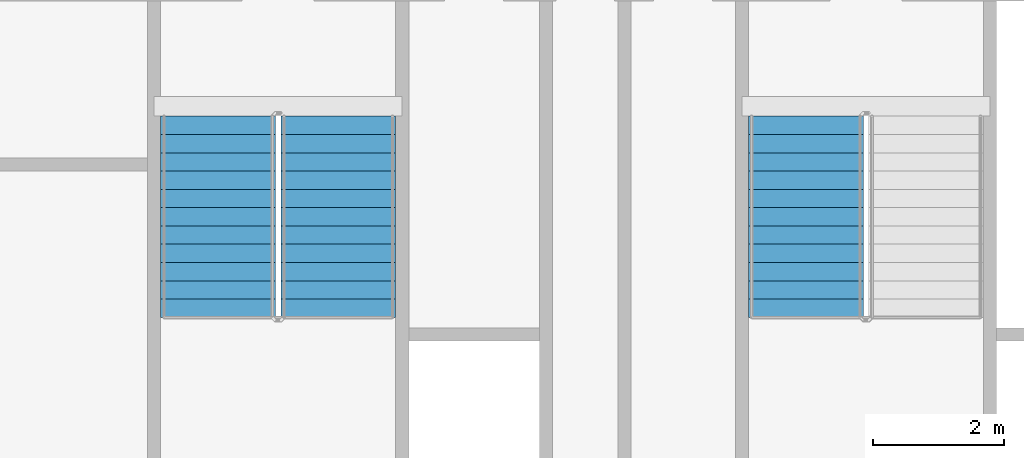
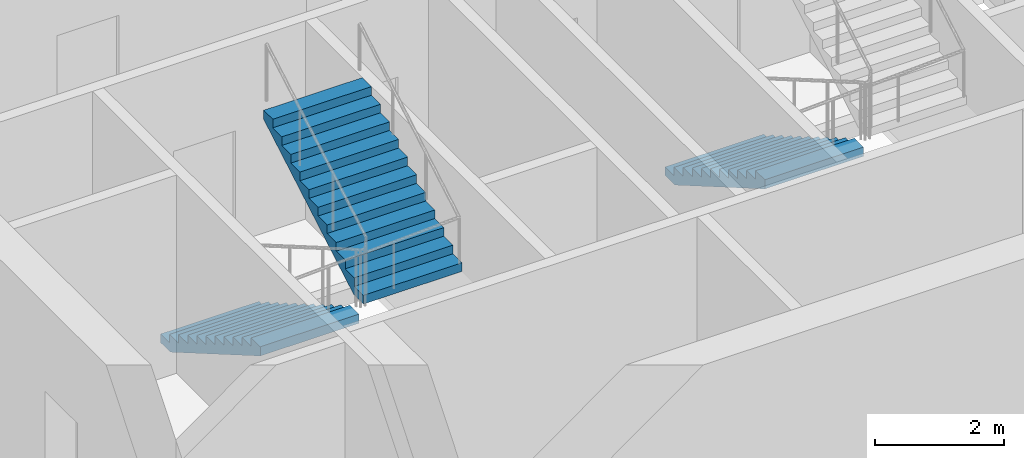
# One storey, part 8 of 15: 3 stair flights, 2 elements without a shape of their own.
"""IFC4 building model written with IfcOpenShell, lengths in metres."""

from ifc_helpers import new_model, si_unit, direction, frame, origin, place, context, subcontext, project, spatial, faceted_brep, material, type_object, element, aggregate, save


model = new_model("IFC4")

# Units and contexts
model_context = context("Model", 3, precision=1e-05, world=origin(), true_north=direction((0.0, 1.0)))
body_context = subcontext(model_context, "Body", "Model", "MODEL_VIEW")
ifc_project = project(units=[si_unit("LENGTHUNIT", "METRE"), si_unit("AREAUNIT", "SQUARE_METRE"), si_unit("VOLUMEUNIT", "CUBIC_METRE"), si_unit("PLANEANGLEUNIT", "RADIAN"), si_unit("MASSUNIT", "GRAM", prefix="KILO")], contexts=[model_context])

# Site, building, storey
site_placement = place(None, origin())
site = spatial("IfcSite", under=ifc_project, at=site_placement, CompositionType="ELEMENT")
building_placement = place(site_placement, origin())
building = spatial("IfcBuilding", under=site, at=building_placement, Name="Tarsis Ring Headquarters", CompositionType="ELEMENT")
storey_placement = place(building_placement, frame((0.0, 0.0, 227.699951171875)))
storey = spatial("IfcBuildingStorey", under=building, at=storey_placement, Name="L53", CompositionType="ELEMENT", Elevation=227.699951171875)

# Stair, stair flights
ifc_material_1 = material(Name="Core stair 1760")
stair_type = type_object("IfcStairType", Name="Core stair 1760", PredefinedType="HALF_TURN_STAIR", material=ifc_material_1)
stair_1_placement = place(storey_placement, origin())
stair_1 = element("IfcStair", 1, at=stair_1_placement, inside=storey, type_object=stair_type, Name="L53 Exit stair C", PredefinedType="HALF_TURN_STAIR")
ifc_material_2 = material(Name="Concrete C40/50", Category="concrete")
stair_flight_type = type_object("IfcStairFlightType", Name="Core stair flight 1760", PredefinedType="STRAIGHT", material=ifc_material_2)
stair_flight_1_placement = place(storey_placement, frame((-5.419921875, -3.659912109375, 0.0), z_axis=(0.0, 0.0, 1.0), x_axis=(0.0, -1.0, 0.0)))
stair_flight_1 = element("IfcStairFlight", 2, at=stair_flight_1_placement, type_object=stair_flight_type, Name="Stair ST3 flight 1", NumberOfRisers=12, NumberOfTreads=11, PredefinedType="STRAIGHT", RiserHeight=0.1625, TreadLength=0.28, context=body_context, shape_type="Brep", body=[
    faceted_brep([(0.0, 0.8798828125, 0.0), (0.0, 0.8798828125, 0.16259765625), (0.280029296875, 0.8798828125, 0.16259765625), (0.280029296875, 0.8798828125, 0.324951171875), (0.56005859375, 0.8798828125, 0.324951171875), (0.56005859375, 0.8798828125, 0.487548828125), (0.840087890625, 0.8798828125, 0.487548828125), (0.840087890625, 0.8798828125, 0.64990234375), (1.1201171875, 0.8798828125, 0.64990234375), (1.1201171875, 0.8798828125, 0.8125), (1.39990234375, 0.8798828125, 0.8125), (1.39990234375, 0.8798828125, 0.97509765625), (1.679931640625, 0.8798828125, 0.97509765625), (1.679931640625, 0.8798828125, 1.137451171875), (1.9599609375, 0.8798828125, 1.137451171875), (1.9599609375, 0.8798828125, 1.300048828125), (2.239990234375, 0.8798828125, 1.300048828125), (2.239990234375, 0.8798828125, 1.46240234375), (2.52001953125, 0.8798828125, 1.46240234375), (2.52001953125, 0.8798828125, 1.625), (2.800048828125, 0.8798828125, 1.625), (2.800048828125, 0.8798828125, 1.78759765625), (3.080078125, 0.8798828125, 1.78759765625), (3.080078125, 0.8798828125, 1.6142578125), (0.298583984375, 0.8798828125, 0.0), (0.298583984375, -0.8798828125, 0.0), (3.080078125, -0.8798828125, 1.6142578125), (3.080078125, -0.8798828125, 1.78759765625), (2.800048828125, -0.8798828125, 1.78759765625), (2.800048828125, -0.8798828125, 1.625), (2.52001953125, -0.8798828125, 1.625), (2.52001953125, -0.8798828125, 1.46240234375), (2.239990234375, -0.8798828125, 1.46240234375), (2.239990234375, -0.8798828125, 1.300048828125), (1.9599609375, -0.8798828125, 1.300048828125), (1.9599609375, -0.8798828125, 1.137451171875), (1.679931640625, -0.8798828125, 1.137451171875), (1.679931640625, -0.8798828125, 0.97509765625), (1.39990234375, -0.8798828125, 0.97509765625), (1.39990234375, -0.8798828125, 0.8125), (1.1201171875, -0.8798828125, 0.8125), (1.1201171875, -0.8798828125, 0.64990234375), (0.840087890625, -0.8798828125, 0.64990234375), (0.840087890625, -0.8798828125, 0.487548828125), (0.56005859375, -0.8798828125, 0.487548828125), (0.56005859375, -0.8798828125, 0.324951171875), (0.280029296875, -0.8798828125, 0.324951171875), (0.280029296875, -0.8798828125, 0.16259765625), (0.0, -0.8798828125, 0.16259765625), (0.0, -0.8798828125, 0.0), (0.0, -0.43994140625, 0.16259765625), (0.0, -0.43994140625, 0.0), (0.0, 0.0, 0.16259765625), (0.0, 0.0, 0.0), (0.0, 0.43994140625, 0.16259765625), (0.0, 0.43994140625, 0.0), (0.280029296875, -0.43994140625, 0.16259765625), (0.280029296875, 0.0, 0.16259765625), (0.280029296875, 0.43994140625, 0.16259765625), (0.280029296875, -0.43994140625, 0.324951171875), (0.280029296875, 0.0, 0.324951171875), (0.280029296875, 0.43994140625, 0.324951171875), (0.56005859375, -0.43994140625, 0.324951171875), (0.56005859375, 0.0, 0.324951171875), (0.56005859375, 0.43994140625, 0.324951171875), (0.56005859375, -0.43994140625, 0.487548828125), (0.56005859375, 0.0, 0.487548828125), (0.56005859375, 0.43994140625, 0.487548828125), (0.840087890625, -0.43994140625, 0.487548828125), (0.840087890625, 0.0, 0.487548828125), (0.840087890625, 0.43994140625, 0.487548828125), (0.840087890625, -0.43994140625, 0.64990234375), (0.840087890625, 0.0, 0.64990234375), (0.840087890625, 0.43994140625, 0.64990234375), (1.1201171875, -0.43994140625, 0.64990234375), (1.1201171875, 0.0, 0.64990234375), (1.1201171875, 0.43994140625, 0.64990234375), (1.1201171875, -0.43994140625, 0.8125), (1.1201171875, 0.0, 0.8125), (1.1201171875, 0.43994140625, 0.8125), (1.39990234375, -0.43994140625, 0.8125), (1.39990234375, 0.0, 0.8125), (1.39990234375, 0.43994140625, 0.8125), (1.39990234375, -0.43994140625, 0.97509765625), (1.39990234375, 0.0, 0.97509765625), (1.39990234375, 0.43994140625, 0.97509765625), (1.679931640625, -0.43994140625, 0.97509765625), (1.679931640625, 0.0, 0.97509765625), (1.679931640625, 0.43994140625, 0.97509765625), (1.679931640625, -0.43994140625, 1.137451171875), (1.679931640625, 0.0, 1.137451171875), (1.679931640625, 0.43994140625, 1.137451171875), (1.9599609375, -0.43994140625, 1.137451171875), (1.9599609375, 0.0, 1.137451171875), (1.9599609375, 0.43994140625, 1.137451171875), (1.9599609375, -0.43994140625, 1.300048828125), (1.9599609375, 0.0, 1.300048828125), (1.9599609375, 0.43994140625, 1.300048828125), (2.239990234375, -0.43994140625, 1.300048828125), (2.239990234375, 0.0, 1.300048828125), (2.239990234375, 0.43994140625, 1.300048828125), (2.239990234375, -0.43994140625, 1.46240234375), (2.239990234375, 0.0, 1.46240234375), (2.239990234375, 0.43994140625, 1.46240234375), (2.52001953125, -0.43994140625, 1.46240234375), (2.52001953125, 0.0, 1.46240234375), (2.52001953125, 0.43994140625, 1.46240234375), (2.52001953125, -0.43994140625, 1.625), (2.52001953125, 0.0, 1.625), (2.52001953125, 0.43994140625, 1.625), (2.800048828125, -0.43994140625, 1.625), (2.800048828125, 0.0, 1.625), (2.800048828125, 0.43994140625, 1.625), (2.800048828125, -0.43994140625, 1.78759765625), (2.800048828125, 0.0, 1.78759765625), (2.800048828125, 0.43994140625, 1.78759765625), (3.080078125, -0.43994140625, 1.78759765625), (3.080078125, 0.0, 1.78759765625), (3.080078125, 0.43994140625, 1.78759765625), (3.080078125, -0.43994140625, 1.6142578125), (3.080078125, 0.0, 1.6142578125), (3.080078125, 0.43994140625, 1.6142578125), (0.298583984375, -0.43994140625, 0.0), (0.298583984375, 0.0, 0.0), (0.298583984375, 0.43994140625, 0.0)], [[[0, 1, 2, 3, 4, 5, 6, 7, 8, 9, 10, 11, 12, 13, 14, 15, 16, 17, 18, 19, 20, 21, 22, 23, 24]], [[25, 26, 27, 28, 29, 30, 31, 32, 33, 34, 35, 36, 37, 38, 39, 40, 41, 42, 43, 44, 45, 46, 47, 48, 49]], [[49, 48, 50, 51]], [[51, 50, 52, 53]], [[53, 52, 54, 55]], [[55, 54, 1, 0]], [[48, 47, 56, 50]], [[50, 56, 57, 52]], [[52, 57, 58, 54]], [[54, 58, 2, 1]], [[47, 46, 59, 56]], [[56, 59, 60, 57]], [[57, 60, 61, 58]], [[58, 61, 3, 2]], [[46, 45, 62, 59]], [[59, 62, 63, 60]], [[60, 63, 64, 61]], [[61, 64, 4, 3]], [[45, 44, 65, 62]], [[62, 65, 66, 63]], [[63, 66, 67, 64]], [[64, 67, 5, 4]], [[44, 43, 68, 65]], [[65, 68, 69, 66]], [[66, 69, 70, 67]], [[67, 70, 6, 5]], [[43, 42, 71, 68]], [[68, 71, 72, 69]], [[69, 72, 73, 70]], [[70, 73, 7, 6]], [[42, 41, 74, 71]], [[71, 74, 75, 72]], [[72, 75, 76, 73]], [[73, 76, 8, 7]], [[41, 40, 77, 74]], [[74, 77, 78, 75]], [[75, 78, 79, 76]], [[76, 79, 9, 8]], [[40, 39, 80, 77]], [[77, 80, 81, 78]], [[78, 81, 82, 79]], [[79, 82, 10, 9]], [[39, 38, 83, 80]], [[80, 83, 84, 81]], [[81, 84, 85, 82]], [[82, 85, 11, 10]], [[38, 37, 86, 83]], [[83, 86, 87, 84]], [[84, 87, 88, 85]], [[85, 88, 12, 11]], [[37, 36, 89, 86]], [[86, 89, 90, 87]], [[87, 90, 91, 88]], [[88, 91, 13, 12]], [[36, 35, 92, 89]], [[89, 92, 93, 90]], [[90, 93, 94, 91]], [[91, 94, 14, 13]], [[35, 34, 95, 92]], [[92, 95, 96, 93]], [[93, 96, 97, 94]], [[94, 97, 15, 14]], [[34, 33, 98, 95]], [[95, 98, 99, 96]], [[96, 99, 100, 97]], [[97, 100, 16, 15]], [[33, 32, 101, 98]], [[98, 101, 102, 99]], [[99, 102, 103, 100]], [[100, 103, 17, 16]], [[32, 31, 104, 101]], [[101, 104, 105, 102]], [[102, 105, 106, 103]], [[103, 106, 18, 17]], [[31, 30, 107, 104]], [[104, 107, 108, 105]], [[105, 108, 109, 106]], [[106, 109, 19, 18]], [[30, 29, 110, 107]], [[107, 110, 111, 108]], [[108, 111, 112, 109]], [[109, 112, 20, 19]], [[29, 28, 113, 110]], [[110, 113, 114, 111]], [[111, 114, 115, 112]], [[112, 115, 21, 20]], [[28, 27, 116, 113]], [[113, 116, 117, 114]], [[114, 117, 118, 115]], [[115, 118, 22, 21]], [[27, 26, 119, 116]], [[116, 119, 120, 117]], [[117, 120, 121, 118]], [[118, 121, 23, 22]], [[26, 25, 122, 119]], [[119, 122, 123, 120]], [[120, 123, 124, 121]], [[121, 124, 24, 23]], [[25, 49, 51, 122]], [[122, 51, 53, 123]], [[123, 53, 55, 124]], [[124, 55, 0, 24]]]),
])
stair_flight_2_placement = place(storey_placement, frame((-3.580078125, -6.739990234375, 1.949951171875), z_axis=(0.0, 0.0, 1.0), x_axis=(0.0, 1.0, 0.0)))
stair_flight_2 = element("IfcStairFlight", 3, at=stair_flight_2_placement, type_object=stair_flight_type, Name="Stair ST3 flight 2", NumberOfRisers=12, NumberOfTreads=11, PredefinedType="STRAIGHT", RiserHeight=0.1625, TreadLength=0.28, context=body_context, shape_type="Brep", body=[
    faceted_brep([(0.0, 0.8798828125, 0.0), (0.0, 0.8798828125, 0.16259765625), (0.280029296875, 0.8798828125, 0.16259765625), (0.280029296875, 0.8798828125, 0.324951171875), (0.56005859375, 0.8798828125, 0.324951171875), (0.56005859375, 0.8798828125, 0.487548828125), (0.840087890625, 0.8798828125, 0.487548828125), (0.840087890625, 0.8798828125, 0.64990234375), (1.1201171875, 0.8798828125, 0.64990234375), (1.1201171875, 0.8798828125, 0.8125), (1.39990234375, 0.8798828125, 0.8125), (1.39990234375, 0.8798828125, 0.97509765625), (1.679931640625, 0.8798828125, 0.97509765625), (1.679931640625, 0.8798828125, 1.137451171875), (1.9599609375, 0.8798828125, 1.137451171875), (1.9599609375, 0.8798828125, 1.300048828125), (2.239990234375, 0.8798828125, 1.300048828125), (2.239990234375, 0.8798828125, 1.46240234375), (2.52001953125, 0.8798828125, 1.46240234375), (2.52001953125, 0.8798828125, 1.625), (2.800048828125, 0.8798828125, 1.625), (2.800048828125, 0.8798828125, 1.78759765625), (3.080078125, 0.8798828125, 1.78759765625), (3.080078125, 0.8798828125, 1.6142578125), (0.298583984375, 0.8798828125, 0.0), (0.298583984375, -0.8798828125, 0.0), (3.080078125, -0.8798828125, 1.6142578125), (3.080078125, -0.8798828125, 1.78759765625), (2.800048828125, -0.8798828125, 1.78759765625), (2.800048828125, -0.8798828125, 1.625), (2.52001953125, -0.8798828125, 1.625), (2.52001953125, -0.8798828125, 1.46240234375), (2.239990234375, -0.8798828125, 1.46240234375), (2.239990234375, -0.8798828125, 1.300048828125), (1.9599609375, -0.8798828125, 1.300048828125), (1.9599609375, -0.8798828125, 1.137451171875), (1.679931640625, -0.8798828125, 1.137451171875), (1.679931640625, -0.8798828125, 0.97509765625), (1.39990234375, -0.8798828125, 0.97509765625), (1.39990234375, -0.8798828125, 0.8125), (1.1201171875, -0.8798828125, 0.8125), (1.1201171875, -0.8798828125, 0.64990234375), (0.840087890625, -0.8798828125, 0.64990234375), (0.840087890625, -0.8798828125, 0.487548828125), (0.56005859375, -0.8798828125, 0.487548828125), (0.56005859375, -0.8798828125, 0.324951171875), (0.280029296875, -0.8798828125, 0.324951171875), (0.280029296875, -0.8798828125, 0.16259765625), (0.0, -0.8798828125, 0.16259765625), (0.0, -0.8798828125, 0.0), (0.0, -0.43994140625, 0.16259765625), (0.0, -0.43994140625, 0.0), (0.0, 0.0, 0.16259765625), (0.0, 0.0, 0.0), (0.0, 0.43994140625, 0.16259765625), (0.0, 0.43994140625, 0.0), (0.280029296875, -0.43994140625, 0.16259765625), (0.280029296875, 0.0, 0.16259765625), (0.280029296875, 0.43994140625, 0.16259765625), (0.280029296875, -0.43994140625, 0.324951171875), (0.280029296875, 0.0, 0.324951171875), (0.280029296875, 0.43994140625, 0.324951171875), (0.56005859375, -0.43994140625, 0.324951171875), (0.56005859375, 0.0, 0.324951171875), (0.56005859375, 0.43994140625, 0.324951171875), (0.56005859375, -0.43994140625, 0.487548828125), (0.56005859375, 0.0, 0.487548828125), (0.56005859375, 0.43994140625, 0.487548828125), (0.840087890625, -0.43994140625, 0.487548828125), (0.840087890625, 0.0, 0.487548828125), (0.840087890625, 0.43994140625, 0.487548828125), (0.840087890625, -0.43994140625, 0.64990234375), (0.840087890625, 0.0, 0.64990234375), (0.840087890625, 0.43994140625, 0.64990234375), (1.1201171875, -0.43994140625, 0.64990234375), (1.1201171875, 0.0, 0.64990234375), (1.1201171875, 0.43994140625, 0.64990234375), (1.1201171875, -0.43994140625, 0.8125), (1.1201171875, 0.0, 0.8125), (1.1201171875, 0.43994140625, 0.8125), (1.39990234375, -0.43994140625, 0.8125), (1.39990234375, 0.0, 0.8125), (1.39990234375, 0.43994140625, 0.8125), (1.39990234375, -0.43994140625, 0.97509765625), (1.39990234375, 0.0, 0.97509765625), (1.39990234375, 0.43994140625, 0.97509765625), (1.679931640625, -0.43994140625, 0.97509765625), (1.679931640625, 0.0, 0.97509765625), (1.679931640625, 0.43994140625, 0.97509765625), (1.679931640625, -0.43994140625, 1.137451171875), (1.679931640625, 0.0, 1.137451171875), (1.679931640625, 0.43994140625, 1.137451171875), (1.9599609375, -0.43994140625, 1.137451171875), (1.9599609375, 0.0, 1.137451171875), (1.9599609375, 0.43994140625, 1.137451171875), (1.9599609375, -0.43994140625, 1.300048828125), (1.9599609375, 0.0, 1.300048828125), (1.9599609375, 0.43994140625, 1.300048828125), (2.239990234375, -0.43994140625, 1.300048828125), (2.239990234375, 0.0, 1.300048828125), (2.239990234375, 0.43994140625, 1.300048828125), (2.239990234375, -0.43994140625, 1.46240234375), (2.239990234375, 0.0, 1.46240234375), (2.239990234375, 0.43994140625, 1.46240234375), (2.52001953125, -0.43994140625, 1.46240234375), (2.52001953125, 0.0, 1.46240234375), (2.52001953125, 0.43994140625, 1.46240234375), (2.52001953125, -0.43994140625, 1.625), (2.52001953125, 0.0, 1.625), (2.52001953125, 0.43994140625, 1.625), (2.800048828125, -0.43994140625, 1.625), (2.800048828125, 0.0, 1.625), (2.800048828125, 0.43994140625, 1.625), (2.800048828125, -0.43994140625, 1.78759765625), (2.800048828125, 0.0, 1.78759765625), (2.800048828125, 0.43994140625, 1.78759765625), (3.080078125, -0.43994140625, 1.78759765625), (3.080078125, 0.0, 1.78759765625), (3.080078125, 0.43994140625, 1.78759765625), (3.080078125, -0.43994140625, 1.6142578125), (3.080078125, 0.0, 1.6142578125), (3.080078125, 0.43994140625, 1.6142578125), (0.298583984375, -0.43994140625, 0.0), (0.298583984375, 0.0, 0.0), (0.298583984375, 0.43994140625, 0.0)], [[[0, 1, 2, 3, 4, 5, 6, 7, 8, 9, 10, 11, 12, 13, 14, 15, 16, 17, 18, 19, 20, 21, 22, 23, 24]], [[25, 26, 27, 28, 29, 30, 31, 32, 33, 34, 35, 36, 37, 38, 39, 40, 41, 42, 43, 44, 45, 46, 47, 48, 49]], [[49, 48, 50, 51]], [[51, 50, 52, 53]], [[53, 52, 54, 55]], [[55, 54, 1, 0]], [[48, 47, 56, 50]], [[50, 56, 57, 52]], [[52, 57, 58, 54]], [[54, 58, 2, 1]], [[47, 46, 59, 56]], [[56, 59, 60, 57]], [[57, 60, 61, 58]], [[58, 61, 3, 2]], [[46, 45, 62, 59]], [[59, 62, 63, 60]], [[60, 63, 64, 61]], [[61, 64, 4, 3]], [[45, 44, 65, 62]], [[62, 65, 66, 63]], [[63, 66, 67, 64]], [[64, 67, 5, 4]], [[44, 43, 68, 65]], [[65, 68, 69, 66]], [[66, 69, 70, 67]], [[67, 70, 6, 5]], [[43, 42, 71, 68]], [[68, 71, 72, 69]], [[69, 72, 73, 70]], [[70, 73, 7, 6]], [[42, 41, 74, 71]], [[71, 74, 75, 72]], [[72, 75, 76, 73]], [[73, 76, 8, 7]], [[41, 40, 77, 74]], [[74, 77, 78, 75]], [[75, 78, 79, 76]], [[76, 79, 9, 8]], [[40, 39, 80, 77]], [[77, 80, 81, 78]], [[78, 81, 82, 79]], [[79, 82, 10, 9]], [[39, 38, 83, 80]], [[80, 83, 84, 81]], [[81, 84, 85, 82]], [[82, 85, 11, 10]], [[38, 37, 86, 83]], [[83, 86, 87, 84]], [[84, 87, 88, 85]], [[85, 88, 12, 11]], [[37, 36, 89, 86]], [[86, 89, 90, 87]], [[87, 90, 91, 88]], [[88, 91, 13, 12]], [[36, 35, 92, 89]], [[89, 92, 93, 90]], [[90, 93, 94, 91]], [[91, 94, 14, 13]], [[35, 34, 95, 92]], [[92, 95, 96, 93]], [[93, 96, 97, 94]], [[94, 97, 15, 14]], [[34, 33, 98, 95]], [[95, 98, 99, 96]], [[96, 99, 100, 97]], [[97, 100, 16, 15]], [[33, 32, 101, 98]], [[98, 101, 102, 99]], [[99, 102, 103, 100]], [[100, 103, 17, 16]], [[32, 31, 104, 101]], [[101, 104, 105, 102]], [[102, 105, 106, 103]], [[103, 106, 18, 17]], [[31, 30, 107, 104]], [[104, 107, 108, 105]], [[105, 108, 109, 106]], [[106, 109, 19, 18]], [[30, 29, 110, 107]], [[107, 110, 111, 108]], [[108, 111, 112, 109]], [[109, 112, 20, 19]], [[29, 28, 113, 110]], [[110, 113, 114, 111]], [[111, 114, 115, 112]], [[112, 115, 21, 20]], [[28, 27, 116, 113]], [[113, 116, 117, 114]], [[114, 117, 118, 115]], [[115, 118, 22, 21]], [[27, 26, 119, 116]], [[116, 119, 120, 117]], [[117, 120, 121, 118]], [[118, 121, 23, 22]], [[26, 25, 122, 119]], [[119, 122, 123, 120]], [[120, 123, 124, 121]], [[121, 124, 24, 23]], [[25, 49, 51, 122]], [[122, 51, 53, 123]], [[123, 53, 55, 124]], [[124, 55, 0, 24]]]),
])
aggregate(stair_1, [stair_flight_1, stair_flight_2])

# Stair, stair flight
stair_2_placement = place(storey_placement, origin())
stair_2 = element("IfcStair", 4, at=stair_2_placement, inside=storey, type_object=stair_type, Name="L53 Exit stair D", PredefinedType="HALF_TURN_STAIR")
stair_flight_3_placement = place(storey_placement, frame((3.580078125, -3.659912109375, 0.0), z_axis=(0.0, 0.0, 1.0), x_axis=(0.0, -1.0, 0.0)))
stair_flight_3 = element("IfcStairFlight", 5, at=stair_flight_3_placement, type_object=stair_flight_type, Name="Stair ST4 flight 1", NumberOfRisers=12, NumberOfTreads=11, PredefinedType="STRAIGHT", RiserHeight=0.1625, TreadLength=0.28, context=body_context, shape_type="Brep", body=[
    faceted_brep([(0.0, 0.8798828125, 0.0), (0.0, 0.8798828125, 0.16259765625), (0.280029296875, 0.8798828125, 0.16259765625), (0.280029296875, 0.8798828125, 0.324951171875), (0.56005859375, 0.8798828125, 0.324951171875), (0.56005859375, 0.8798828125, 0.487548828125), (0.840087890625, 0.8798828125, 0.487548828125), (0.840087890625, 0.8798828125, 0.64990234375), (1.1201171875, 0.8798828125, 0.64990234375), (1.1201171875, 0.8798828125, 0.8125), (1.39990234375, 0.8798828125, 0.8125), (1.39990234375, 0.8798828125, 0.97509765625), (1.679931640625, 0.8798828125, 0.97509765625), (1.679931640625, 0.8798828125, 1.137451171875), (1.9599609375, 0.8798828125, 1.137451171875), (1.9599609375, 0.8798828125, 1.300048828125), (2.239990234375, 0.8798828125, 1.300048828125), (2.239990234375, 0.8798828125, 1.46240234375), (2.52001953125, 0.8798828125, 1.46240234375), (2.52001953125, 0.8798828125, 1.625), (2.800048828125, 0.8798828125, 1.625), (2.800048828125, 0.8798828125, 1.78759765625), (3.080078125, 0.8798828125, 1.78759765625), (3.080078125, 0.8798828125, 1.6142578125), (0.298583984375, 0.8798828125, 0.0), (0.298583984375, -0.8798828125, 0.0), (3.080078125, -0.8798828125, 1.6142578125), (3.080078125, -0.8798828125, 1.78759765625), (2.800048828125, -0.8798828125, 1.78759765625), (2.800048828125, -0.8798828125, 1.625), (2.52001953125, -0.8798828125, 1.625), (2.52001953125, -0.8798828125, 1.46240234375), (2.239990234375, -0.8798828125, 1.46240234375), (2.239990234375, -0.8798828125, 1.300048828125), (1.9599609375, -0.8798828125, 1.300048828125), (1.9599609375, -0.8798828125, 1.137451171875), (1.679931640625, -0.8798828125, 1.137451171875), (1.679931640625, -0.8798828125, 0.97509765625), (1.39990234375, -0.8798828125, 0.97509765625), (1.39990234375, -0.8798828125, 0.8125), (1.1201171875, -0.8798828125, 0.8125), (1.1201171875, -0.8798828125, 0.64990234375), (0.840087890625, -0.8798828125, 0.64990234375), (0.840087890625, -0.8798828125, 0.487548828125), (0.56005859375, -0.8798828125, 0.487548828125), (0.56005859375, -0.8798828125, 0.324951171875), (0.280029296875, -0.8798828125, 0.324951171875), (0.280029296875, -0.8798828125, 0.16259765625), (0.0, -0.8798828125, 0.16259765625), (0.0, -0.8798828125, 0.0), (0.0, -0.43994140625, 0.16259765625), (0.0, -0.43994140625, 0.0), (0.0, 0.0, 0.16259765625), (0.0, 0.0, 0.0), (0.0, 0.43994140625, 0.16259765625), (0.0, 0.43994140625, 0.0), (0.280029296875, -0.43994140625, 0.16259765625), (0.280029296875, 0.0, 0.16259765625), (0.280029296875, 0.43994140625, 0.16259765625), (0.280029296875, -0.43994140625, 0.324951171875), (0.280029296875, 0.0, 0.324951171875), (0.280029296875, 0.43994140625, 0.324951171875), (0.56005859375, -0.43994140625, 0.324951171875), (0.56005859375, 0.0, 0.324951171875), (0.56005859375, 0.43994140625, 0.324951171875), (0.56005859375, -0.43994140625, 0.487548828125), (0.56005859375, 0.0, 0.487548828125), (0.56005859375, 0.43994140625, 0.487548828125), (0.840087890625, -0.43994140625, 0.487548828125), (0.840087890625, 0.0, 0.487548828125), (0.840087890625, 0.43994140625, 0.487548828125), (0.840087890625, -0.43994140625, 0.64990234375), (0.840087890625, 0.0, 0.64990234375), (0.840087890625, 0.43994140625, 0.64990234375), (1.1201171875, -0.43994140625, 0.64990234375), (1.1201171875, 0.0, 0.64990234375), (1.1201171875, 0.43994140625, 0.64990234375), (1.1201171875, -0.43994140625, 0.8125), (1.1201171875, 0.0, 0.8125), (1.1201171875, 0.43994140625, 0.8125), (1.39990234375, -0.43994140625, 0.8125), (1.39990234375, 0.0, 0.8125), (1.39990234375, 0.43994140625, 0.8125), (1.39990234375, -0.43994140625, 0.97509765625), (1.39990234375, 0.0, 0.97509765625), (1.39990234375, 0.43994140625, 0.97509765625), (1.679931640625, -0.43994140625, 0.97509765625), (1.679931640625, 0.0, 0.97509765625), (1.679931640625, 0.43994140625, 0.97509765625), (1.679931640625, -0.43994140625, 1.137451171875), (1.679931640625, 0.0, 1.137451171875), (1.679931640625, 0.43994140625, 1.137451171875), (1.9599609375, -0.43994140625, 1.137451171875), (1.9599609375, 0.0, 1.137451171875), (1.9599609375, 0.43994140625, 1.137451171875), (1.9599609375, -0.43994140625, 1.300048828125), (1.9599609375, 0.0, 1.300048828125), (1.9599609375, 0.43994140625, 1.300048828125), (2.239990234375, -0.43994140625, 1.300048828125), (2.239990234375, 0.0, 1.300048828125), (2.239990234375, 0.43994140625, 1.300048828125), (2.239990234375, -0.43994140625, 1.46240234375), (2.239990234375, 0.0, 1.46240234375), (2.239990234375, 0.43994140625, 1.46240234375), (2.52001953125, -0.43994140625, 1.46240234375), (2.52001953125, 0.0, 1.46240234375), (2.52001953125, 0.43994140625, 1.46240234375), (2.52001953125, -0.43994140625, 1.625), (2.52001953125, 0.0, 1.625), (2.52001953125, 0.43994140625, 1.625), (2.800048828125, -0.43994140625, 1.625), (2.800048828125, 0.0, 1.625), (2.800048828125, 0.43994140625, 1.625), (2.800048828125, -0.43994140625, 1.78759765625), (2.800048828125, 0.0, 1.78759765625), (2.800048828125, 0.43994140625, 1.78759765625), (3.080078125, -0.43994140625, 1.78759765625), (3.080078125, 0.0, 1.78759765625), (3.080078125, 0.43994140625, 1.78759765625), (3.080078125, -0.43994140625, 1.6142578125), (3.080078125, 0.0, 1.6142578125), (3.080078125, 0.43994140625, 1.6142578125), (0.298583984375, -0.43994140625, 0.0), (0.298583984375, 0.0, 0.0), (0.298583984375, 0.43994140625, 0.0)], [[[0, 1, 2, 3, 4, 5, 6, 7, 8, 9, 10, 11, 12, 13, 14, 15, 16, 17, 18, 19, 20, 21, 22, 23, 24]], [[25, 26, 27, 28, 29, 30, 31, 32, 33, 34, 35, 36, 37, 38, 39, 40, 41, 42, 43, 44, 45, 46, 47, 48, 49]], [[49, 48, 50, 51]], [[51, 50, 52, 53]], [[53, 52, 54, 55]], [[55, 54, 1, 0]], [[48, 47, 56, 50]], [[50, 56, 57, 52]], [[52, 57, 58, 54]], [[54, 58, 2, 1]], [[47, 46, 59, 56]], [[56, 59, 60, 57]], [[57, 60, 61, 58]], [[58, 61, 3, 2]], [[46, 45, 62, 59]], [[59, 62, 63, 60]], [[60, 63, 64, 61]], [[61, 64, 4, 3]], [[45, 44, 65, 62]], [[62, 65, 66, 63]], [[63, 66, 67, 64]], [[64, 67, 5, 4]], [[44, 43, 68, 65]], [[65, 68, 69, 66]], [[66, 69, 70, 67]], [[67, 70, 6, 5]], [[43, 42, 71, 68]], [[68, 71, 72, 69]], [[69, 72, 73, 70]], [[70, 73, 7, 6]], [[42, 41, 74, 71]], [[71, 74, 75, 72]], [[72, 75, 76, 73]], [[73, 76, 8, 7]], [[41, 40, 77, 74]], [[74, 77, 78, 75]], [[75, 78, 79, 76]], [[76, 79, 9, 8]], [[40, 39, 80, 77]], [[77, 80, 81, 78]], [[78, 81, 82, 79]], [[79, 82, 10, 9]], [[39, 38, 83, 80]], [[80, 83, 84, 81]], [[81, 84, 85, 82]], [[82, 85, 11, 10]], [[38, 37, 86, 83]], [[83, 86, 87, 84]], [[84, 87, 88, 85]], [[85, 88, 12, 11]], [[37, 36, 89, 86]], [[86, 89, 90, 87]], [[87, 90, 91, 88]], [[88, 91, 13, 12]], [[36, 35, 92, 89]], [[89, 92, 93, 90]], [[90, 93, 94, 91]], [[91, 94, 14, 13]], [[35, 34, 95, 92]], [[92, 95, 96, 93]], [[93, 96, 97, 94]], [[94, 97, 15, 14]], [[34, 33, 98, 95]], [[95, 98, 99, 96]], [[96, 99, 100, 97]], [[97, 100, 16, 15]], [[33, 32, 101, 98]], [[98, 101, 102, 99]], [[99, 102, 103, 100]], [[100, 103, 17, 16]], [[32, 31, 104, 101]], [[101, 104, 105, 102]], [[102, 105, 106, 103]], [[103, 106, 18, 17]], [[31, 30, 107, 104]], [[104, 107, 108, 105]], [[105, 108, 109, 106]], [[106, 109, 19, 18]], [[30, 29, 110, 107]], [[107, 110, 111, 108]], [[108, 111, 112, 109]], [[109, 112, 20, 19]], [[29, 28, 113, 110]], [[110, 113, 114, 111]], [[111, 114, 115, 112]], [[112, 115, 21, 20]], [[28, 27, 116, 113]], [[113, 116, 117, 114]], [[114, 117, 118, 115]], [[115, 118, 22, 21]], [[27, 26, 119, 116]], [[116, 119, 120, 117]], [[117, 120, 121, 118]], [[118, 121, 23, 22]], [[26, 25, 122, 119]], [[119, 122, 123, 120]], [[120, 123, 124, 121]], [[121, 124, 24, 23]], [[25, 49, 51, 122]], [[122, 51, 53, 123]], [[123, 53, 55, 124]], [[124, 55, 0, 24]]]),
])
aggregate(stair_2, [stair_flight_3])

save(model, "model.ifc")
